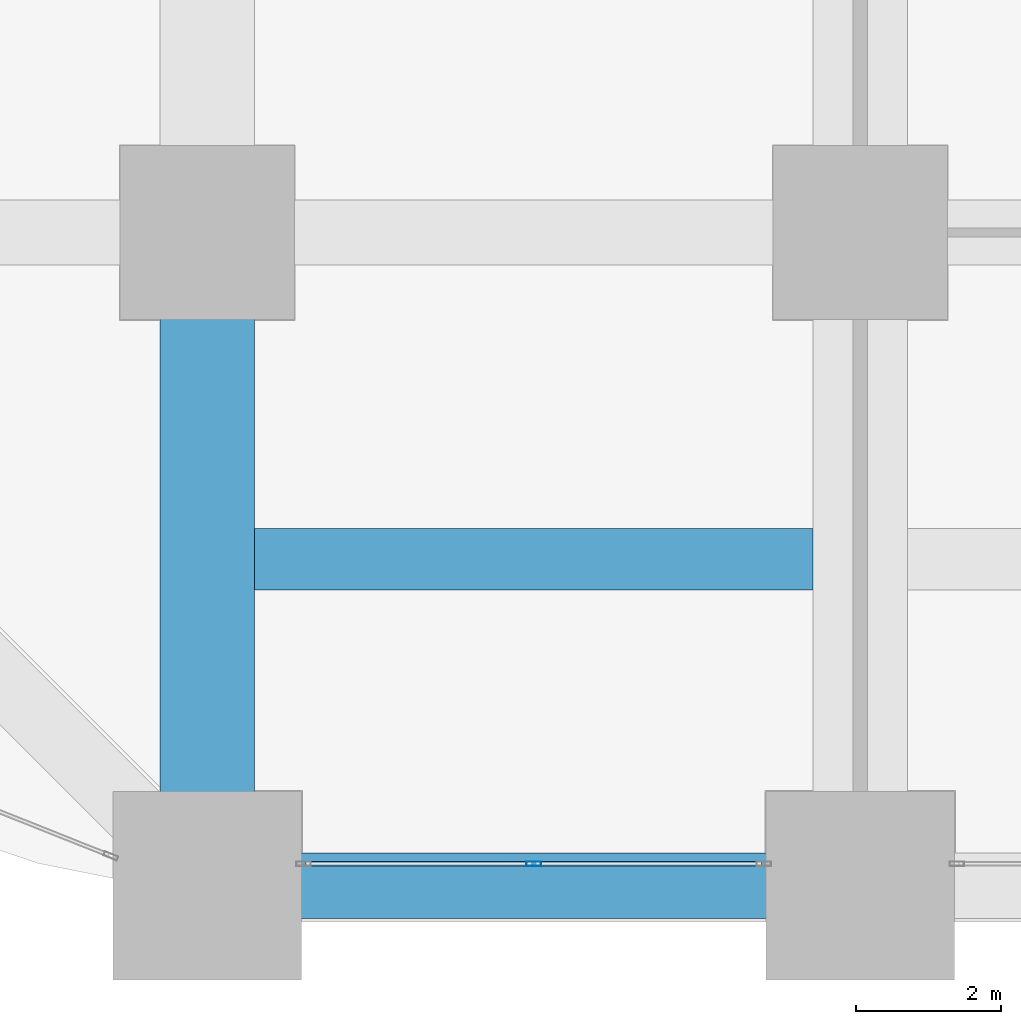
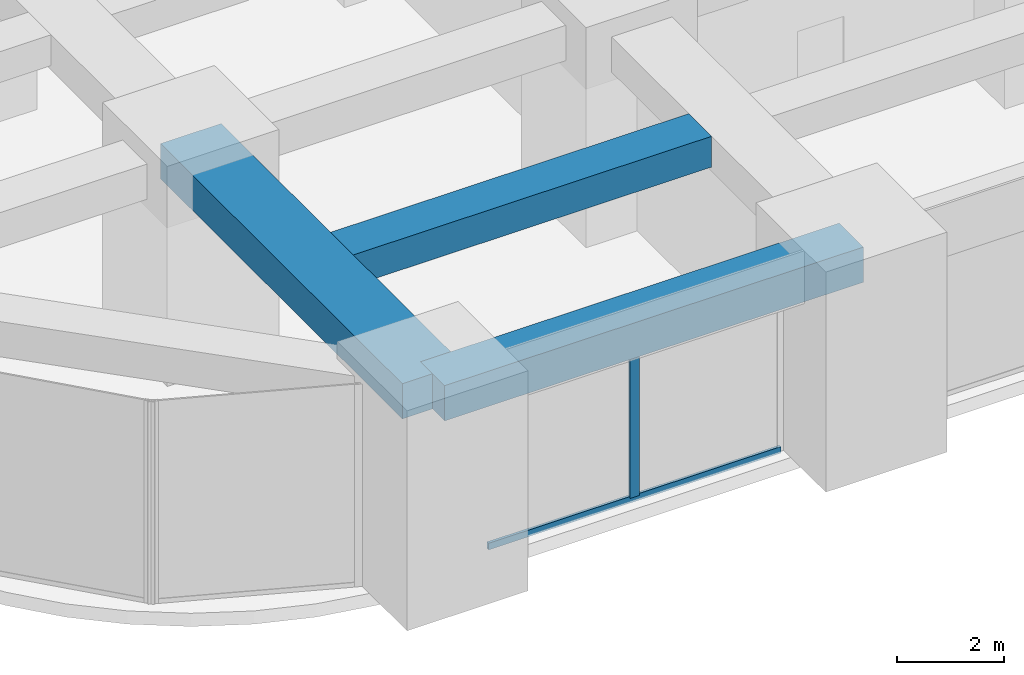
# One storey, part 3 of 46: 3 beams, 2 members, 1 element without a shape of its own.
"""IFC4 building model written with IfcOpenShell, lengths in metres."""

from ifc_helpers import new_model, si_unit, direction, frame, origin, origin_2d, place, context, subcontext, project, spatial, rectangle, hollow_rectangle, extrude, material, material_profile, profile_set, type_object, element, aggregate, save


model = new_model("IFC4")

# Units and contexts
model_context = context("Model", 3, precision=1e-05, world=origin(), true_north=direction((0.0, 1.0)))
body_context = subcontext(model_context, "Body", "Model", "MODEL_VIEW")
ifc_project = project(units=[si_unit("LENGTHUNIT", "METRE"), si_unit("AREAUNIT", "SQUARE_METRE"), si_unit("VOLUMEUNIT", "CUBIC_METRE"), si_unit("PLANEANGLEUNIT", "RADIAN"), si_unit("MASSUNIT", "GRAM", prefix="KILO")], contexts=[model_context])

# Site, building, storey
site_placement = place(None, origin())
site = spatial("IfcSite", under=ifc_project, at=site_placement, CompositionType="ELEMENT")
building_placement = place(site_placement, origin())
building = spatial("IfcBuilding", under=site, at=building_placement, Name="Zorevar Civic Tower", CompositionType="ELEMENT")
storey_placement = place(building_placement, frame((0.0, 0.0, 10.800048828125)))
storey = spatial("IfcBuildingStorey", under=building, at=storey_placement, Name="L02", CompositionType="ELEMENT", Elevation=10.800048828125)

# Beams
ifc_material_1 = material(Name="Concrete C50/60", Category="concrete")
ifc_material_profile_1 = material_profile(ifc_material_1, rectangle(XDim=1.300048828125, YDim=0.800048828125, at=origin_2d()), Name="RC 1300x800")
ifc_profile_set_1 = profile_set([ifc_material_profile_1], Name="Concrete C50/60")
beam_type_1 = type_object("IfcBeamType", Name="Beam RC 1300x800", PredefinedType="BEAM", material=ifc_profile_set_1)
beam_1_placement = place(storey_placement, frame((0.0, 0.0, 4.199951171875), z_axis=(0.0, 1.0, 0.0), x_axis=(-1.0, 0.0, 0.0)))
element("IfcBeam", 1, at=beam_1_placement, inside=storey, type_object=beam_type_1, Name="Girder L03", PredefinedType="BEAM", context=body_context, shape_type="SweptSolid", body=[
    extrude(rectangle(XDim=1.300048828125, YDim=0.800048828125, at=origin_2d()), origin(), (0.0, 0.0, 1.0), 9.0),
])
ifc_material_2 = material(Name="Concrete C50/60", Category="concrete")
ifc_material_profile_2 = material_profile(ifc_material_2, rectangle(XDim=0.85009765625, YDim=0.699951171875, at=origin_2d()), Name="RC 850x700")
ifc_profile_set_2 = profile_set([ifc_material_profile_2], Name="Concrete C50/60")
beam_type_2 = type_object("IfcBeamType", Name="Beam RC 850x700", PredefinedType="BEAM", material=ifc_profile_set_2)
beam_2_placement = place(storey_placement, frame((0.64990234375, 4.5, 4.25), z_axis=(1.0, 0.0, 0.0), x_axis=(0.0, 1.0, 0.0)))
element("IfcBeam", 2, at=beam_2_placement, inside=storey, type_object=beam_type_2, Name="Secondary beam L03", PredefinedType="BEAM", context=body_context, shape_type="SweptSolid", body=[
    extrude(rectangle(XDim=0.85009765625, YDim=0.699951171875, at=origin_2d()), origin(), (0.0, 0.0, 1.0), 7.7001953125),
])

# Curtain wall, members
ifc_material_3 = material(Name="Dark grey solar-control glass in black aluminium frame", Category="aluminium")
curtain_wall_type = type_object("IfcCurtainWallType", Name="Curtain wall CW1 podium", PredefinedType="NOTDEFINED", material=ifc_material_3)
curtain_wall_placement = place(storey_placement, origin())
curtain_wall = element("IfcCurtainWall", 3, at=curtain_wall_placement, inside=storey, type_object=curtain_wall_type, Name="CW1 L02", PredefinedType="NOTDEFINED")
ifc_material_4 = material(Name="Aluminium, black anodised", Category="aluminium")
ifc_material_profile_3 = material_profile(ifc_material_4, hollow_rectangle(XDim=0.06005859375, YDim=0.199951171875, WallThickness=0.00390625, at=origin_2d()), Name="AL 200x60x4")
ifc_profile_set_3 = profile_set([ifc_material_profile_3], Name="Aluminium, black anodised")
member_type_1 = type_object("IfcMemberType", Name="CW1 mullion AL 200x60x4", PredefinedType="MULLION", material=ifc_profile_set_3)
member_1_placement = place(storey_placement, frame((4.5, 0.300048828125, 0.06005859375), z_axis=(0.0, 0.0, 1.0), x_axis=(0.0, 1.0, 0.0)))
member_1 = element("IfcMember", 4, at=member_1_placement, type_object=member_type_1, Name="CW1 mullion 2", PredefinedType="MULLION", context=body_context, shape_type="SweptSolid", body=[
    extrude(hollow_rectangle(XDim=0.06005859375, YDim=0.199951171875, WallThickness=0.00390625, at=origin_2d()), origin(), (0.0, 0.0, 1.0), 3.739990234375),
])
ifc_material_5 = material(Name="Aluminium, black anodised", Category="aluminium")
ifc_material_profile_4 = material_profile(ifc_material_5, hollow_rectangle(XDim=0.06005859375, YDim=0.14990234375, WallThickness=0.00390625, at=origin_2d()), Name="AL 150x60x4")
ifc_profile_set_4 = profile_set([ifc_material_profile_4], Name="Aluminium, black anodised")
member_type_2 = type_object("IfcMemberType", Name="CW1 transom AL 150x60x4", PredefinedType="USERDEFINED", material=ifc_profile_set_4)
member_2_placement = place(storey_placement, frame((1.360107421875, 0.300048828125, 0.030029296875), z_axis=(1.0, 0.0, 0.0), x_axis=(0.0, 1.0, 0.0)))
member_2 = element("IfcMember", 5, at=member_2_placement, type_object=member_type_2, Name="CW1 sill transom", ObjectType="TRANSOM", PredefinedType="USERDEFINED", context=body_context, shape_type="SweptSolid", body=[
    extrude(hollow_rectangle(XDim=0.06005859375, YDim=0.14990234375, WallThickness=0.00390625, at=origin_2d()), origin(), (0.0, 0.0, 1.0), 6.27978515625),
])
aggregate(curtain_wall, [member_1, member_2])

# Beam
ifc_material_6 = material(Name="Concrete C50/60", Category="concrete")
ifc_material_profile_5 = material_profile(ifc_material_6, rectangle(XDim=0.89990234375, YDim=0.800048828125, at=origin_2d()), Name="RC 900x800")
ifc_profile_set_5 = profile_set([ifc_material_profile_5], Name="Concrete C50/60")
beam_type_3 = type_object("IfcBeamType", Name="Edge beam RC 900x800", PredefinedType="SPANDREL", material=ifc_profile_set_5)
beam_3_placement = place(storey_placement, frame((0.0, 0.0, 4.199951171875), z_axis=(1.0, 0.0, 0.0), x_axis=(0.0, 1.0, 0.0)))
element("IfcBeam", 6, at=beam_3_placement, inside=storey, type_object=beam_type_3, Name="Edge beam L03", PredefinedType="SPANDREL", context=body_context, shape_type="SweptSolid", body=[
    extrude(rectangle(XDim=0.89990234375, YDim=0.800048828125, at=origin_2d()), origin(), (0.0, 0.0, 1.0), 9.0),
])

save(model, "model.ifc")
